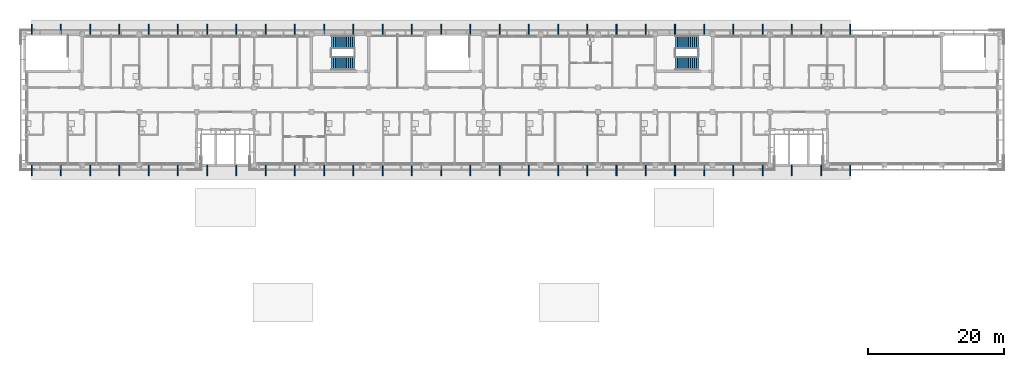
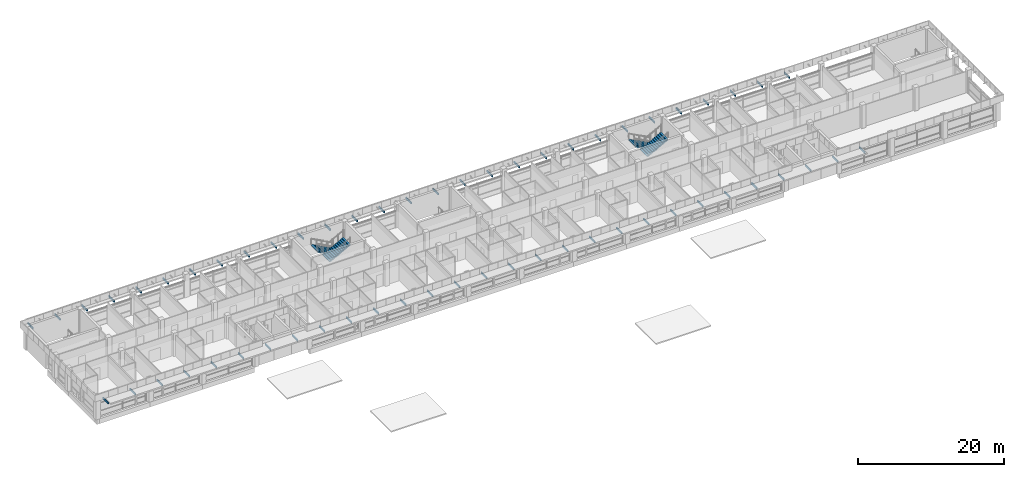
# One storey, part 22 of 36: 58 discrete accessories, 4 stair flights, 2 elements without a shape of their own.
"""IFC4 building model written with IfcOpenShell, lengths in metres."""

import ifcopenshell
import ifcopenshell.guid

model = None  # the IFC model being written
_history = None  # IfcOwnerHistory: only IFC2X3 demands one
_inside = {}  # id of a spatial element -> (the spatial element, [elements in it])
_under = {}  # id of a project, library or spatial element -> (it, [spatial elements below it])
_declared = {}  # id of a project -> (the project, [libraries it declares])
_typed = {}  # id of a type object -> (the type object, [elements of that type])
_made_of = {}  # id of a material, layer set ... -> (it, [elements and type objects made of it])


def new_model(schema):
    """Start an empty IFC model of exactly this schema.

    Asked for "IFC4X3", IfcOpenShell would pick the latest addendum, in which some entities
    have other attributes; the version numbers below select the first issue.
    IFC2X3 requires an IfcOwnerHistory on every rooted entity: one is made here for all.
    """
    global model, _history
    if schema == "IFC4X3":
        model = ifcopenshell.file(schema_version=(4, 3, 0, 0))
    else:
        model = ifcopenshell.file(schema=schema)
    _inside.clear()
    _under.clear()
    _declared.clear()
    _typed.clear()
    _made_of.clear()
    _history = None
    if model.schema == "IFC2X3":
        org = make("IfcOrganization", Name="unknown")
        user = make(
            "IfcPersonAndOrganization",
            ThePerson=make("IfcPerson", FamilyName="unknown"),
            TheOrganization=org,
        )
        app = make(
            "IfcApplication",
            ApplicationDeveloper=org,
            Version="unknown",
            ApplicationFullName="unknown",
            ApplicationIdentifier="unknown",
        )
        _history = make(
            "IfcOwnerHistory",
            OwningUser=user,
            OwningApplication=app,
            ChangeAction="ADDED",
            CreationDate=0,
        )
    return model


def make(cls, **values):
    """One entity of the class cls with the attributes given. An attribute that is None is left unset."""
    return model.create_entity(
        cls, **{name: value for name, value in values.items() if value is not None}
    )


def rooted(cls, **values):
    """An entity with a GlobalId (a new one), such as an element, a storey or a relation."""
    return make(cls, GlobalId=ifcopenshell.guid.new(), OwnerHistory=_history, **values)


def si_unit(unit_type, name, prefix=None):
    """IfcSIUnit, for example si_unit("LENGTHUNIT", "METRE", prefix="MILLI")."""
    return make("IfcSIUnit", UnitType=unit_type, Prefix=prefix, Name=name)


def assignment(units):
    """IfcUnitAssignment: the units of a project."""
    return None if units is None else make("IfcUnitAssignment", Units=units)


def point(xyz):
    """IfcCartesianPoint."""
    return None if xyz is None else make("IfcCartesianPoint", Coordinates=xyz)


def direction(xyz):
    """IfcDirection."""
    return None if xyz is None else make("IfcDirection", DirectionRatios=xyz)


def frame(location, z_axis=None, x_axis=None):
    """IfcAxis2Placement3D, a coordinate frame: its origin and axes. An axis left out is left unset."""
    return make(
        "IfcAxis2Placement3D",
        Location=point(location),
        Axis=direction(z_axis),
        RefDirection=direction(x_axis),
    )


def frame_2d(location, x_axis=None):
    """IfcAxis2Placement2D, a coordinate frame in the plane: its origin and x axis."""
    return make(
        "IfcAxis2Placement2D", Location=point(location), RefDirection=direction(x_axis)
    )


def origin():
    """The frame at (0, 0, 0) with its axes left unset."""
    return frame((0.0, 0.0, 0.0))


def origin_2d():
    """The frame at (0, 0) in the plane with its x axis left unset."""
    return frame_2d((0.0, 0.0))


def place(relative_to, where):
    """IfcLocalPlacement: puts the frame where relative to a parent placement (None: the world)."""
    return make(
        "IfcLocalPlacement", PlacementRelTo=relative_to, RelativePlacement=where
    )


def context(
    kind, dimensions, precision=None, world=None, true_north=None, identifier=None
):
    """IfcGeometricRepresentationContext, for example the 3D "Model" context."""
    return make(
        "IfcGeometricRepresentationContext",
        ContextIdentifier=identifier,
        ContextType=kind,
        CoordinateSpaceDimension=dimensions,
        Precision=precision,
        WorldCoordinateSystem=world,
        TrueNorth=true_north,
    )


def subcontext(parent, identifier, kind, view, scale=None):
    """IfcGeometricRepresentationSubContext, for example "Body" below "Model"."""
    return make(
        "IfcGeometricRepresentationSubContext",
        ContextIdentifier=identifier,
        ContextType=kind,
        ParentContext=parent,
        TargetScale=scale,
        TargetView=view,
    )


def project(units=None, contexts=None):
    """IfcProject with its units and contexts."""
    return rooted(
        "IfcProject",
        Name="project",
        RepresentationContexts=contexts,
        UnitsInContext=assignment(units),
    )


def spatial(cls, under=None, at=None, **own):
    """A site, building, storey or space (cls), placed at a placement, below another one or the project."""
    s = rooted(cls, ObjectPlacement=at, **own)
    if under is not None:
        _under.setdefault(under.id(), (under, []))[1].append(s)
    return s


def polyline(points):
    """IfcPolyline through the points."""
    return make("IfcPolyline", Points=[point(p) for p in points])


def profile(cls, at=None, kind="AREA", **sizes):
    """A parametric profile (cls). Its sizes go by their IFC names, for example OverallWidth=200.0."""
    return make(cls, ProfileType=kind, Position=at, **sizes)


def rectangle(**sizes):
    """IfcRectangleProfileDef."""
    return profile("IfcRectangleProfileDef", **sizes)


def outline(outer, holes=None, kind="AREA"):
    """IfcArbitraryClosedProfileDef: a profile drawn as a closed curve; with holes, ...WithVoids."""
    if holes is None:
        return make("IfcArbitraryClosedProfileDef", ProfileType=kind, OuterCurve=outer)
    return make(
        "IfcArbitraryProfileDefWithVoids",
        ProfileType=kind,
        OuterCurve=outer,
        InnerCurves=holes,
    )


def extrude(swept, where, along, depth):
    """IfcExtrudedAreaSolid: the profile swept, set in the frame where, extruded along a direction by depth."""
    return make(
        "IfcExtrudedAreaSolid",
        SweptArea=swept,
        Position=where,
        ExtrudedDirection=direction(along),
        Depth=depth,
    )


def shape(context_of_items, identifier, shape_type, items):
    """IfcShapeRepresentation: the items that make up one representation, for example the "Body"."""
    return make(
        "IfcShapeRepresentation",
        ContextOfItems=context_of_items,
        RepresentationIdentifier=identifier,
        RepresentationType=shape_type,
        Items=items,
    )


def material(Name=None, Category=None):
    """IfcMaterial."""
    return make("IfcMaterial", Name=Name, Category=Category)


def made_of(thing, what):
    """Note that an element or type object is made of a material, layer set ...; save() writes the relation."""
    if what is not None:
        _made_of.setdefault(what.id(), (what, []))[1].append(thing)
    return thing


def type_object(cls, material=None, **own):
    """A type object (cls), such as IfcWallType, which elements share."""
    return made_of(rooted(cls, **own), material)


def element(
    cls,
    number,
    at=None,
    inside=None,
    cuts=None,
    type_object=None,
    material=None,
    context=None,
    identifier="Body",
    shape_type=None,
    held_by="IfcProductDefinitionShape",
    body=None,
    shapes=None,
    **own,
):
    """One element of the class cls, such as IfcWall. Its Tag is "e" and its number.

    at: its placement. inside: the storey or other place that contains it. cuts: it is an
    opening in that element (IfcRelVoidsElement). A single representation is given by context,
    identifier, shape_type and body (its items); several are given by shapes. held_by: the class
    of the entity that holds the representations. save() writes the other relations.
    """
    e = rooted(cls, Tag="e%d" % number, ObjectPlacement=at, **own)
    if body is not None:
        shapes = [shape(context, identifier, shape_type, body)]
    if shapes is not None:
        e.Representation = make(held_by, Representations=shapes)
    if inside is not None:
        _inside.setdefault(inside.id(), (inside, []))[1].append(e)
    if cuts is not None:
        rooted(
            "IfcRelVoidsElement", RelatingBuildingElement=cuts, RelatedOpeningElement=e
        )
    if type_object is not None:
        _typed.setdefault(type_object.id(), (type_object, []))[1].append(e)
    return made_of(e, material)


def aggregate(whole, parts):
    """IfcRelAggregates: a whole, such as a stair, and the parts it consists of."""
    return rooted("IfcRelAggregates", RelatingObject=whole, RelatedObjects=parts)


def save(model, path):
    """Write the relations noted so far, then the file.

    IfcRelAggregates (storeys below a building ...), IfcRelContainedInSpatialStructure (elements
    in a storey), IfcRelDefinesByType, IfcRelAssociatesMaterial and IfcRelDeclares: one each for
    every whole, place, type object, material and project.
    """
    for whole, parts in _under.values():
        aggregate(whole, parts)
    for where, things in _inside.values():
        rooted(
            "IfcRelContainedInSpatialStructure",
            RelatedElements=things,
            RelatingStructure=where,
        )
    for kind, things in _typed.values():
        rooted("IfcRelDefinesByType", RelatedObjects=things, RelatingType=kind)
    for what, things in _made_of.values():
        rooted("IfcRelAssociatesMaterial", RelatedObjects=things, RelatingMaterial=what)
    for by, libraries in _declared.values():
        rooted("IfcRelDeclares", RelatingContext=by, RelatedDefinitions=libraries)
    model.write(path)


model = new_model("IFC4")

# Units and contexts
model_context = context("Model", 3, precision=1e-05, world=origin(), true_north=direction((0.0, 1.0)))
body_context = subcontext(model_context, "Body", "Model", "MODEL_VIEW")
ifc_project = project(units=[si_unit("LENGTHUNIT", "METRE"), si_unit("AREAUNIT", "SQUARE_METRE"), si_unit("VOLUMEUNIT", "CUBIC_METRE"), si_unit("PLANEANGLEUNIT", "RADIAN"), si_unit("MASSUNIT", "GRAM", prefix="KILO")], contexts=[model_context])

# Site, building, storey
site_placement = place(None, origin())
site = spatial("IfcSite", under=ifc_project, at=site_placement, CompositionType="ELEMENT")
building_placement = place(site_placement, origin())
building = spatial("IfcBuilding", under=site, at=building_placement, Name="Bougainvillea Quay General Hospital", CompositionType="ELEMENT")
storey_placement = place(building_placement, frame((0.0, 0.0, 32.699951171875)))
storey = spatial("IfcBuildingStorey", under=building, at=storey_placement, Name="L07", CompositionType="ELEMENT", Elevation=32.699951171875)

# Stair, stair flights
ifc_material_1 = material(Name="Concrete C35", Category="concrete")
stair_type = type_object("IfcStairType", Name="Stair half-turn 1925 wide", PredefinedType="HALF_TURN_STAIR", material=ifc_material_1)
stair_1_placement = place(storey_placement, origin())
stair_1 = element("IfcStair", 1, at=stair_1_placement, inside=storey, type_object=stair_type, Name="L07 stair ST-A2", PredefinedType="HALF_TURN_STAIR")
stair_flight_type = type_object("IfcStairFlightType", Name="Stair flight 1925", PredefinedType="STRAIGHT", material=ifc_material_1)
stair_flight_1_placement = place(storey_placement, frame((90.300048828125, 158.46240234375, 0.0), z_axis=(0.0, 0.0, 1.0), x_axis=(-1.0, 0.0, 0.0)))
stair_flight_1 = element("IfcStairFlight", 2, at=stair_flight_1_placement, type_object=stair_flight_type, Name="ST-A2 flight 1", NumberOfRisers=13, NumberOfTreads=12, PredefinedType="STRAIGHT", RiserHeight=0.15, TreadLength=0.28, context=body_context, shape_type="SweptSolid", body=[
    extrude(outline(polyline([(-0.0029296875, 0.0), (-0.0029296875, 0.003662109375), (-0.0029296875, 0.00732421875), (-0.0029296875, 0.010986328125), (-0.0029296875, 0.0146484375), (-0.0029296875, 0.018310546875), (-0.0029296875, 0.02197265625), (-0.0029296875, 0.025634765625), (-0.0029296875, 0.029296875), (-0.0029296875, 0.032958984375), (-0.0029296875, 0.03662109375), (-0.0029296875, 0.040283203125), (-0.0029296875, 0.0439453125), (-0.0029296875, 0.047607421875), (-0.0029296875, 0.05126953125), (-0.0029296875, 0.054931640625), (-0.0029296875, 0.05859375), (-0.0029296875, 0.062255859375), (-0.0029296875, 0.06591796875), (-0.0029296875, 0.069580078125), (-0.0029296875, 0.0732421875), (-0.0029296875, 0.076904296875), (-0.0029296875, 0.08056640625), (-0.0029296875, 0.084228515625), (-0.0029296875, 0.087890625), (-0.0029296875, 0.091552734375), (-0.0029296875, 0.09521484375), (-0.0029296875, 0.098876953125), (-0.0029296875, 0.1025390625), (-0.0029296875, 0.106201171875), (-0.0029296875, 0.10986328125), (-0.0029296875, 0.113525390625), (-0.0029296875, 0.1171875), (-0.0029296875, 0.120849609375), (-0.0029296875, 0.12451171875), (-0.0029296875, 0.1279296875), (-0.0029296875, 0.131591796875), (-0.0029296875, 0.13525390625), (-0.0029296875, 0.138916015625), (-0.0029296875, 0.142578125), (-0.0029296875, 0.146240234375), (-0.0029296875, 0.14990234375), (0.280029296875, 0.14990234375), (0.280029296875, 0.300048828125), (0.56005859375, 0.300048828125), (0.56005859375, 0.449951171875), (0.840087890625, 0.449951171875), (0.840087890625, 0.60009765625), (1.1201171875, 0.60009765625), (1.1201171875, 0.75), (1.39990234375, 0.75), (1.39990234375, 0.89990234375), (1.679931640625, 0.89990234375), (1.679931640625, 1.050048828125), (1.9599609375, 1.050048828125), (1.9599609375, 1.199951171875), (2.239990234375, 1.199951171875), (2.239990234375, 1.35009765625), (2.52001953125, 1.35009765625), (2.52001953125, 1.5), (2.800048828125, 1.5), (2.800048828125, 1.64990234375), (3.080078125, 1.64990234375), (3.080078125, 1.800048828125), (3.363037109375, 1.800048828125), (3.363037109375, 1.7958984375), (3.363037109375, 1.791748046875), (3.363037109375, 1.78759765625), (3.363037109375, 1.783447265625), (3.363037109375, 1.779296875), (3.363037109375, 1.775146484375), (3.363037109375, 1.77099609375), (3.363037109375, 1.766845703125), (3.363037109375, 1.7626953125), (3.363037109375, 1.758544921875), (3.363037109375, 1.75439453125), (3.363037109375, 1.750244140625), (3.363037109375, 1.74609375), (3.363037109375, 1.741943359375), (3.363037109375, 1.73779296875), (3.363037109375, 1.733642578125), (3.363037109375, 1.7294921875), (3.363037109375, 1.725341796875), (3.363037109375, 1.72119140625), (3.363037109375, 1.717041015625), (3.363037109375, 1.712890625), (3.363037109375, 1.708740234375), (3.363037109375, 1.70458984375), (3.363037109375, 1.700439453125), (3.363037109375, 1.6962890625), (3.363037109375, 1.692138671875), (3.363037109375, 1.68798828125), (3.363037109375, 1.683837890625), (3.363037109375, 1.6796875), (3.363037109375, 1.675537109375), (3.363037109375, 1.67138671875), (3.363037109375, 1.667236328125), (3.363037109375, 1.6630859375), (3.363037109375, 1.658935546875), (3.363037109375, 1.65478515625), (3.363037109375, 1.650634765625), (3.363037109375, 1.646484375), (3.363037109375, 1.642333984375), (3.363037109375, 1.63818359375), (3.363037109375, 1.634033203125), (3.363037109375, 1.6298828125), (0.3173828125, 0.0), (-0.0029296875, 0.0)])), frame((0.0, 0.96240234375, 0.0), z_axis=(0.0, -1.0, 0.0), x_axis=(1.0, 0.0, 0.0)), (0.0, 0.0, 1.0), 1.925048828125),
])
stair_flight_2_placement = place(storey_placement, frame((86.93994140625, 155.33740234375, 1.949951171875), z_axis=(0.0, 0.0, 1.0), x_axis=(1.0, 0.0, 0.0)))
stair_flight_2 = element("IfcStairFlight", 3, at=stair_flight_2_placement, type_object=stair_flight_type, Name="ST-A2 flight 2", NumberOfRisers=13, NumberOfTreads=12, PredefinedType="STRAIGHT", RiserHeight=0.15, TreadLength=0.28, context=body_context, shape_type="SweptSolid", body=[
    extrude(outline(polyline([(-0.0029296875, 0.0), (-0.0029296875, 0.003662109375), (-0.0029296875, 0.00732421875), (-0.0029296875, 0.010986328125), (-0.0029296875, 0.0146484375), (-0.0029296875, 0.018310546875), (-0.0029296875, 0.02197265625), (-0.0029296875, 0.025634765625), (-0.0029296875, 0.029296875), (-0.0029296875, 0.032958984375), (-0.0029296875, 0.03662109375), (-0.0029296875, 0.040283203125), (-0.0029296875, 0.0439453125), (-0.0029296875, 0.047607421875), (-0.0029296875, 0.05126953125), (-0.0029296875, 0.054931640625), (-0.0029296875, 0.05859375), (-0.0029296875, 0.062255859375), (-0.0029296875, 0.06591796875), (-0.0029296875, 0.069580078125), (-0.0029296875, 0.0732421875), (-0.0029296875, 0.076904296875), (-0.0029296875, 0.08056640625), (-0.0029296875, 0.084228515625), (-0.0029296875, 0.087890625), (-0.0029296875, 0.091552734375), (-0.0029296875, 0.09521484375), (-0.0029296875, 0.098876953125), (-0.0029296875, 0.1025390625), (-0.0029296875, 0.106201171875), (-0.0029296875, 0.10986328125), (-0.0029296875, 0.113525390625), (-0.0029296875, 0.1171875), (-0.0029296875, 0.120849609375), (-0.0029296875, 0.12451171875), (-0.0029296875, 0.1279296875), (-0.0029296875, 0.131591796875), (-0.0029296875, 0.13525390625), (-0.0029296875, 0.138916015625), (-0.0029296875, 0.142578125), (-0.0029296875, 0.146240234375), (-0.0029296875, 0.14990234375), (0.280029296875, 0.14990234375), (0.280029296875, 0.300048828125), (0.56005859375, 0.300048828125), (0.56005859375, 0.449951171875), (0.840087890625, 0.449951171875), (0.840087890625, 0.60009765625), (1.1201171875, 0.60009765625), (1.1201171875, 0.75), (1.39990234375, 0.75), (1.39990234375, 0.89990234375), (1.679931640625, 0.89990234375), (1.679931640625, 1.050048828125), (1.9599609375, 1.050048828125), (1.9599609375, 1.199951171875), (2.239990234375, 1.199951171875), (2.239990234375, 1.35009765625), (2.52001953125, 1.35009765625), (2.52001953125, 1.5), (2.800048828125, 1.5), (2.800048828125, 1.64990234375), (3.080078125, 1.64990234375), (3.080078125, 1.800048828125), (3.363037109375, 1.800048828125), (3.363037109375, 1.7958984375), (3.363037109375, 1.791748046875), (3.363037109375, 1.78759765625), (3.363037109375, 1.783447265625), (3.363037109375, 1.779296875), (3.363037109375, 1.775146484375), (3.363037109375, 1.77099609375), (3.363037109375, 1.766845703125), (3.363037109375, 1.7626953125), (3.363037109375, 1.758544921875), (3.363037109375, 1.75439453125), (3.363037109375, 1.750244140625), (3.363037109375, 1.74609375), (3.363037109375, 1.741943359375), (3.363037109375, 1.73779296875), (3.363037109375, 1.733642578125), (3.363037109375, 1.7294921875), (3.363037109375, 1.725341796875), (3.363037109375, 1.72119140625), (3.363037109375, 1.717041015625), (3.363037109375, 1.712890625), (3.363037109375, 1.708740234375), (3.363037109375, 1.70458984375), (3.363037109375, 1.700439453125), (3.363037109375, 1.6962890625), (3.363037109375, 1.692138671875), (3.363037109375, 1.68798828125), (3.363037109375, 1.683837890625), (3.363037109375, 1.6796875), (3.363037109375, 1.675537109375), (3.363037109375, 1.67138671875), (3.363037109375, 1.667236328125), (3.363037109375, 1.6630859375), (3.363037109375, 1.658935546875), (3.363037109375, 1.65478515625), (3.363037109375, 1.650634765625), (3.363037109375, 1.646484375), (3.363037109375, 1.642333984375), (3.363037109375, 1.63818359375), (3.363037109375, 1.634033203125), (3.363037109375, 1.6298828125), (0.3173828125, 0.0), (-0.0029296875, 0.0)])), frame((0.0, 0.96240234375, 0.0), z_axis=(0.0, -1.0, 0.0), x_axis=(1.0, 0.0, 0.0)), (0.0, 0.0, 1.0), 1.925048828125),
])
aggregate(stair_1, [stair_flight_1, stair_flight_2])

stair_2_placement = place(storey_placement, origin())
stair_2 = element("IfcStair", 4, at=stair_2_placement, inside=storey, type_object=stair_type, Name="L07 stair ST-A3", PredefinedType="HALF_TURN_STAIR")
stair_flight_3_placement = place(storey_placement, frame((140.699951171875, 158.46240234375, 0.0), z_axis=(0.0, 0.0, 1.0), x_axis=(-1.0, 0.0, 0.0)))
stair_flight_3 = element("IfcStairFlight", 5, at=stair_flight_3_placement, type_object=stair_flight_type, Name="ST-A3 flight 1", NumberOfRisers=13, NumberOfTreads=12, PredefinedType="STRAIGHT", RiserHeight=0.15, TreadLength=0.28, context=body_context, shape_type="SweptSolid", body=[
    extrude(outline(polyline([(-0.0029296875, 0.0), (-0.0029296875, 0.003662109375), (-0.0029296875, 0.00732421875), (-0.0029296875, 0.010986328125), (-0.0029296875, 0.0146484375), (-0.0029296875, 0.018310546875), (-0.0029296875, 0.02197265625), (-0.0029296875, 0.025634765625), (-0.0029296875, 0.029296875), (-0.0029296875, 0.032958984375), (-0.0029296875, 0.03662109375), (-0.0029296875, 0.040283203125), (-0.0029296875, 0.0439453125), (-0.0029296875, 0.047607421875), (-0.0029296875, 0.05126953125), (-0.0029296875, 0.054931640625), (-0.0029296875, 0.05859375), (-0.0029296875, 0.062255859375), (-0.0029296875, 0.06591796875), (-0.0029296875, 0.069580078125), (-0.0029296875, 0.0732421875), (-0.0029296875, 0.076904296875), (-0.0029296875, 0.08056640625), (-0.0029296875, 0.084228515625), (-0.0029296875, 0.087890625), (-0.0029296875, 0.091552734375), (-0.0029296875, 0.09521484375), (-0.0029296875, 0.098876953125), (-0.0029296875, 0.1025390625), (-0.0029296875, 0.106201171875), (-0.0029296875, 0.10986328125), (-0.0029296875, 0.113525390625), (-0.0029296875, 0.1171875), (-0.0029296875, 0.120849609375), (-0.0029296875, 0.12451171875), (-0.0029296875, 0.1279296875), (-0.0029296875, 0.131591796875), (-0.0029296875, 0.13525390625), (-0.0029296875, 0.138916015625), (-0.0029296875, 0.142578125), (-0.0029296875, 0.146240234375), (-0.0029296875, 0.14990234375), (0.280029296875, 0.14990234375), (0.280029296875, 0.300048828125), (0.56005859375, 0.300048828125), (0.56005859375, 0.449951171875), (0.840087890625, 0.449951171875), (0.840087890625, 0.60009765625), (1.1201171875, 0.60009765625), (1.1201171875, 0.75), (1.39990234375, 0.75), (1.39990234375, 0.89990234375), (1.679931640625, 0.89990234375), (1.679931640625, 1.050048828125), (1.9599609375, 1.050048828125), (1.9599609375, 1.199951171875), (2.239990234375, 1.199951171875), (2.239990234375, 1.35009765625), (2.52001953125, 1.35009765625), (2.52001953125, 1.5), (2.800048828125, 1.5), (2.800048828125, 1.64990234375), (3.080078125, 1.64990234375), (3.080078125, 1.800048828125), (3.363037109375, 1.800048828125), (3.363037109375, 1.7958984375), (3.363037109375, 1.791748046875), (3.363037109375, 1.78759765625), (3.363037109375, 1.783447265625), (3.363037109375, 1.779296875), (3.363037109375, 1.775146484375), (3.363037109375, 1.77099609375), (3.363037109375, 1.766845703125), (3.363037109375, 1.7626953125), (3.363037109375, 1.758544921875), (3.363037109375, 1.75439453125), (3.363037109375, 1.750244140625), (3.363037109375, 1.74609375), (3.363037109375, 1.741943359375), (3.363037109375, 1.73779296875), (3.363037109375, 1.733642578125), (3.363037109375, 1.7294921875), (3.363037109375, 1.725341796875), (3.363037109375, 1.72119140625), (3.363037109375, 1.717041015625), (3.363037109375, 1.712890625), (3.363037109375, 1.708740234375), (3.363037109375, 1.70458984375), (3.363037109375, 1.700439453125), (3.363037109375, 1.6962890625), (3.363037109375, 1.692138671875), (3.363037109375, 1.68798828125), (3.363037109375, 1.683837890625), (3.363037109375, 1.6796875), (3.363037109375, 1.675537109375), (3.363037109375, 1.67138671875), (3.363037109375, 1.667236328125), (3.363037109375, 1.6630859375), (3.363037109375, 1.658935546875), (3.363037109375, 1.65478515625), (3.363037109375, 1.650634765625), (3.363037109375, 1.646484375), (3.363037109375, 1.642333984375), (3.363037109375, 1.63818359375), (3.363037109375, 1.634033203125), (3.363037109375, 1.6298828125), (0.3173828125, 0.0), (-0.0029296875, 0.0)])), frame((0.0, 0.96240234375, 0.0), z_axis=(0.0, -1.0, 0.0), x_axis=(1.0, 0.0, 0.0)), (0.0, 0.0, 1.0), 1.925048828125),
])
stair_flight_4_placement = place(storey_placement, frame((137.340087890625, 155.33740234375, 1.949951171875), z_axis=(0.0, 0.0, 1.0), x_axis=(1.0, 0.0, 0.0)))
stair_flight_4 = element("IfcStairFlight", 6, at=stair_flight_4_placement, type_object=stair_flight_type, Name="ST-A3 flight 2", NumberOfRisers=13, NumberOfTreads=12, PredefinedType="STRAIGHT", RiserHeight=0.15, TreadLength=0.28, context=body_context, shape_type="SweptSolid", body=[
    extrude(outline(polyline([(-0.0029296875, 0.0), (-0.0029296875, 0.003662109375), (-0.0029296875, 0.00732421875), (-0.0029296875, 0.010986328125), (-0.0029296875, 0.0146484375), (-0.0029296875, 0.018310546875), (-0.0029296875, 0.02197265625), (-0.0029296875, 0.025634765625), (-0.0029296875, 0.029296875), (-0.0029296875, 0.032958984375), (-0.0029296875, 0.03662109375), (-0.0029296875, 0.040283203125), (-0.0029296875, 0.0439453125), (-0.0029296875, 0.047607421875), (-0.0029296875, 0.05126953125), (-0.0029296875, 0.054931640625), (-0.0029296875, 0.05859375), (-0.0029296875, 0.062255859375), (-0.0029296875, 0.06591796875), (-0.0029296875, 0.069580078125), (-0.0029296875, 0.0732421875), (-0.0029296875, 0.076904296875), (-0.0029296875, 0.08056640625), (-0.0029296875, 0.084228515625), (-0.0029296875, 0.087890625), (-0.0029296875, 0.091552734375), (-0.0029296875, 0.09521484375), (-0.0029296875, 0.098876953125), (-0.0029296875, 0.1025390625), (-0.0029296875, 0.106201171875), (-0.0029296875, 0.10986328125), (-0.0029296875, 0.113525390625), (-0.0029296875, 0.1171875), (-0.0029296875, 0.120849609375), (-0.0029296875, 0.12451171875), (-0.0029296875, 0.1279296875), (-0.0029296875, 0.131591796875), (-0.0029296875, 0.13525390625), (-0.0029296875, 0.138916015625), (-0.0029296875, 0.142578125), (-0.0029296875, 0.146240234375), (-0.0029296875, 0.14990234375), (0.280029296875, 0.14990234375), (0.280029296875, 0.300048828125), (0.56005859375, 0.300048828125), (0.56005859375, 0.449951171875), (0.840087890625, 0.449951171875), (0.840087890625, 0.60009765625), (1.1201171875, 0.60009765625), (1.1201171875, 0.75), (1.39990234375, 0.75), (1.39990234375, 0.89990234375), (1.679931640625, 0.89990234375), (1.679931640625, 1.050048828125), (1.9599609375, 1.050048828125), (1.9599609375, 1.199951171875), (2.239990234375, 1.199951171875), (2.239990234375, 1.35009765625), (2.52001953125, 1.35009765625), (2.52001953125, 1.5), (2.800048828125, 1.5), (2.800048828125, 1.64990234375), (3.080078125, 1.64990234375), (3.080078125, 1.800048828125), (3.363037109375, 1.800048828125), (3.363037109375, 1.7958984375), (3.363037109375, 1.791748046875), (3.363037109375, 1.78759765625), (3.363037109375, 1.783447265625), (3.363037109375, 1.779296875), (3.363037109375, 1.775146484375), (3.363037109375, 1.77099609375), (3.363037109375, 1.766845703125), (3.363037109375, 1.7626953125), (3.363037109375, 1.758544921875), (3.363037109375, 1.75439453125), (3.363037109375, 1.750244140625), (3.363037109375, 1.74609375), (3.363037109375, 1.741943359375), (3.363037109375, 1.73779296875), (3.363037109375, 1.733642578125), (3.363037109375, 1.7294921875), (3.363037109375, 1.725341796875), (3.363037109375, 1.72119140625), (3.363037109375, 1.717041015625), (3.363037109375, 1.712890625), (3.363037109375, 1.708740234375), (3.363037109375, 1.70458984375), (3.363037109375, 1.700439453125), (3.363037109375, 1.6962890625), (3.363037109375, 1.692138671875), (3.363037109375, 1.68798828125), (3.363037109375, 1.683837890625), (3.363037109375, 1.6796875), (3.363037109375, 1.675537109375), (3.363037109375, 1.67138671875), (3.363037109375, 1.667236328125), (3.363037109375, 1.6630859375), (3.363037109375, 1.658935546875), (3.363037109375, 1.65478515625), (3.363037109375, 1.650634765625), (3.363037109375, 1.646484375), (3.363037109375, 1.642333984375), (3.363037109375, 1.63818359375), (3.363037109375, 1.634033203125), (3.363037109375, 1.6298828125), (0.3173828125, 0.0), (-0.0029296875, 0.0)])), frame((0.0, 0.96240234375, 0.0), z_axis=(0.0, -1.0, 0.0), x_axis=(1.0, 0.0, 0.0)), (0.0, 0.0, 1.0), 1.925048828125),
])
aggregate(stair_2, [stair_flight_3, stair_flight_4])

# Discrete accessories
ifc_material_2 = material(Name="Galvanised steel bracket, grey", Category="steel")
discrete_accessory_type = type_object("IfcDiscreteAccessoryType", Name="Eave bracket 1500x150x300", PredefinedType="BRACKET", material=ifc_material_2)
for number, where, z_axis, x_axis, name in (
    (7, (43.0, 139.64990234375, 2.89990234375), (0.0, 0.0, 1.0), (1.0, 0.0, 0.0), "Eave bracket V5AS1"),
    (8, (47.285888671875, 139.64990234375, 2.89990234375), (0.0, 0.0, 1.0), (1.0, 0.0, 0.0), "Eave bracket V5AS2"),
    (9, (51.571044921875, 139.64990234375, 2.89990234375), (0.0, 0.0, 1.0), (1.0, 0.0, 0.0), "Eave bracket V5AS3"),
    (10, (55.85693359375, 139.64990234375, 2.89990234375), (0.0, 0.0, 1.0), (1.0, 0.0, 0.0), "Eave bracket V5AS4"),
    (11, (60.14306640625, 139.64990234375, 2.89990234375), (0.0, 0.0, 1.0), (1.0, 0.0, 0.0), "Eave bracket V5AS5"),
    (12, (64.428955078125, 139.64990234375, 2.89990234375), (0.0, 0.0, 1.0), (1.0, 0.0, 0.0), "Eave bracket V5AS6"),
    (13, (68.714111328125, 139.64990234375, 2.89990234375), (0.0, 0.0, 1.0), (1.0, 0.0, 0.0), "Eave bracket V5AS7"),
    (14, (73.0, 139.64990234375, 2.89990234375), (0.0, 0.0, 1.0), (1.0, 0.0, 0.0), "Eave bracket V5AS8"),
    (15, (77.285888671875, 139.64990234375, 2.89990234375), (0.0, 0.0, 1.0), (1.0, 0.0, 0.0), "Eave bracket V5AS9"),
    (16, (81.571044921875, 139.64990234375, 2.89990234375), (0.0, 0.0, 1.0), (1.0, 0.0, 0.0), "Eave bracket V5AS10"),
    (17, (85.85693359375, 139.64990234375, 2.89990234375), (0.0, 0.0, 1.0), (1.0, 0.0, 0.0), "Eave bracket V5AS11"),
    (18, (90.14306640625, 139.64990234375, 2.89990234375), (0.0, 0.0, 1.0), (1.0, 0.0, 0.0), "Eave bracket V5AS12"),
    (19, (94.428955078125, 139.64990234375, 2.89990234375), (0.0, 0.0, 1.0), (1.0, 0.0, 0.0), "Eave bracket V5AS13"),
    (20, (98.714111328125, 139.64990234375, 2.89990234375), (0.0, 0.0, 1.0), (1.0, 0.0, 0.0), "Eave bracket V5AS14"),
    (21, (103.0, 139.64990234375, 2.89990234375), (0.0, 0.0, 1.0), (1.0, 0.0, 0.0), "Eave bracket V5AS15"),
    (22, (107.285888671875, 139.64990234375, 2.89990234375), (0.0, 0.0, 1.0), (1.0, 0.0, 0.0), "Eave bracket V5AS16"),
    (23, (111.571044921875, 139.64990234375, 2.89990234375), (0.0, 0.0, 1.0), (1.0, 0.0, 0.0), "Eave bracket V5AS17"),
    (24, (115.85693359375, 139.64990234375, 2.89990234375), (0.0, 0.0, 1.0), (1.0, 0.0, 0.0), "Eave bracket V5AS18"),
    (25, (120.14306640625, 139.64990234375, 2.89990234375), (0.0, 0.0, 1.0), (1.0, 0.0, 0.0), "Eave bracket V5AS19"),
    (26, (124.428955078125, 139.64990234375, 2.89990234375), (0.0, 0.0, 1.0), (1.0, 0.0, 0.0), "Eave bracket V5AS20"),
    (27, (128.714111328125, 139.64990234375, 2.89990234375), (0.0, 0.0, 1.0), (1.0, 0.0, 0.0), "Eave bracket V5AS21"),
    (28, (133.0, 139.64990234375, 2.89990234375), (0.0, 0.0, 1.0), (1.0, 0.0, 0.0), "Eave bracket V5AS22"),
    (29, (137.285888671875, 139.64990234375, 2.89990234375), (0.0, 0.0, 1.0), (1.0, 0.0, 0.0), "Eave bracket V5AS23"),
    (30, (141.571044921875, 139.64990234375, 2.89990234375), (0.0, 0.0, 1.0), (1.0, 0.0, 0.0), "Eave bracket V5AS24"),
    (31, (145.85693359375, 139.64990234375, 2.89990234375), (0.0, 0.0, 1.0), (1.0, 0.0, 0.0), "Eave bracket V5AS25"),
    (32, (150.14306640625, 139.64990234375, 2.89990234375), (0.0, 0.0, 1.0), (1.0, 0.0, 0.0), "Eave bracket V5AS26"),
    (33, (154.428955078125, 139.64990234375, 2.89990234375), (0.0, 0.0, 1.0), (1.0, 0.0, 0.0), "Eave bracket V5AS27"),
    (34, (158.714111328125, 139.64990234375, 2.89990234375), (0.0, 0.0, 1.0), (1.0, 0.0, 0.0), "Eave bracket V5AS28"),
    (35, (163.0, 139.64990234375, 2.89990234375), (0.0, 0.0, 1.0), (1.0, 0.0, 0.0), "Eave bracket V5AS29"),
    (36, (43.0, 160.35009765625, 2.89990234375), (0.0, 0.0, 1.0), (1.0, 0.0, 0.0), "Eave bracket V5AN1"),
    (37, (47.285888671875, 160.35009765625, 2.89990234375), (0.0, 0.0, 1.0), (1.0, 0.0, 0.0), "Eave bracket V5AN2"),
    (38, (51.571044921875, 160.35009765625, 2.89990234375), (0.0, 0.0, 1.0), (1.0, 0.0, 0.0), "Eave bracket V5AN3"),
    (39, (55.85693359375, 160.35009765625, 2.89990234375), (0.0, 0.0, 1.0), (1.0, 0.0, 0.0), "Eave bracket V5AN4"),
    (40, (60.14306640625, 160.35009765625, 2.89990234375), (0.0, 0.0, 1.0), (1.0, 0.0, 0.0), "Eave bracket V5AN5"),
    (41, (64.428955078125, 160.35009765625, 2.89990234375), (0.0, 0.0, 1.0), (1.0, 0.0, 0.0), "Eave bracket V5AN6"),
    (42, (68.714111328125, 160.35009765625, 2.89990234375), (0.0, 0.0, 1.0), (1.0, 0.0, 0.0), "Eave bracket V5AN7"),
    (43, (73.0, 160.35009765625, 2.89990234375), (0.0, 0.0, 1.0), (1.0, 0.0, 0.0), "Eave bracket V5AN8"),
    (44, (77.285888671875, 160.35009765625, 2.89990234375), (0.0, 0.0, 1.0), (1.0, 0.0, 0.0), "Eave bracket V5AN9"),
    (45, (81.571044921875, 160.35009765625, 2.89990234375), (0.0, 0.0, 1.0), (1.0, 0.0, 0.0), "Eave bracket V5AN10"),
    (46, (85.85693359375, 160.35009765625, 2.89990234375), (0.0, 0.0, 1.0), (1.0, 0.0, 0.0), "Eave bracket V5AN11"),
    (47, (90.14306640625, 160.35009765625, 2.89990234375), (0.0, 0.0, 1.0), (1.0, 0.0, 0.0), "Eave bracket V5AN12"),
    (48, (94.428955078125, 160.35009765625, 2.89990234375), (0.0, 0.0, 1.0), (1.0, 0.0, 0.0), "Eave bracket V5AN13"),
    (49, (98.714111328125, 160.35009765625, 2.89990234375), (0.0, 0.0, 1.0), (1.0, 0.0, 0.0), "Eave bracket V5AN14"),
    (50, (103.0, 160.35009765625, 2.89990234375), (0.0, 0.0, 1.0), (1.0, 0.0, 0.0), "Eave bracket V5AN15"),
    (51, (107.285888671875, 160.35009765625, 2.89990234375), (0.0, 0.0, 1.0), (1.0, 0.0, 0.0), "Eave bracket V5AN16"),
    (52, (111.571044921875, 160.35009765625, 2.89990234375), (0.0, 0.0, 1.0), (1.0, 0.0, 0.0), "Eave bracket V5AN17"),
    (53, (115.85693359375, 160.35009765625, 2.89990234375), (0.0, 0.0, 1.0), (1.0, 0.0, 0.0), "Eave bracket V5AN18"),
    (54, (120.14306640625, 160.35009765625, 2.89990234375), (0.0, 0.0, 1.0), (1.0, 0.0, 0.0), "Eave bracket V5AN19"),
    (55, (124.428955078125, 160.35009765625, 2.89990234375), (0.0, 0.0, 1.0), (1.0, 0.0, 0.0), "Eave bracket V5AN20"),
    (56, (128.714111328125, 160.35009765625, 2.89990234375), (0.0, 0.0, 1.0), (1.0, 0.0, 0.0), "Eave bracket V5AN21"),
    (57, (133.0, 160.35009765625, 2.89990234375), (0.0, 0.0, 1.0), (1.0, 0.0, 0.0), "Eave bracket V5AN22"),
    (58, (137.285888671875, 160.35009765625, 2.89990234375), (0.0, 0.0, 1.0), (1.0, 0.0, 0.0), "Eave bracket V5AN23"),
    (59, (141.571044921875, 160.35009765625, 2.89990234375), (0.0, 0.0, 1.0), (1.0, 0.0, 0.0), "Eave bracket V5AN24"),
    (60, (145.85693359375, 160.35009765625, 2.89990234375), (0.0, 0.0, 1.0), (1.0, 0.0, 0.0), "Eave bracket V5AN25"),
    (61, (150.14306640625, 160.35009765625, 2.89990234375), (0.0, 0.0, 1.0), (1.0, 0.0, 0.0), "Eave bracket V5AN26"),
    (62, (154.428955078125, 160.35009765625, 2.89990234375), (0.0, 0.0, 1.0), (1.0, 0.0, 0.0), "Eave bracket V5AN27"),
    (63, (158.714111328125, 160.35009765625, 2.89990234375), (0.0, 0.0, 1.0), (1.0, 0.0, 0.0), "Eave bracket V5AN28"),
    (64, (163.0, 160.35009765625, 2.89990234375), (0.0, 0.0, 1.0), (1.0, 0.0, 0.0), "Eave bracket V5AN29"),
):
    element("IfcDiscreteAccessory", number, at=place(storey_placement, frame(where, z_axis=z_axis, x_axis=x_axis)), inside=storey, type_object=discrete_accessory_type, Name=name, PredefinedType="BRACKET", context=body_context, shape_type="SweptSolid", body=[
        extrude(rectangle(XDim=0.14990234375, YDim=1.5, at=origin_2d()), origin(), (0.0, 0.0, 1.0), 0.300048828125),
    ])

save(model, "model.ifc")
